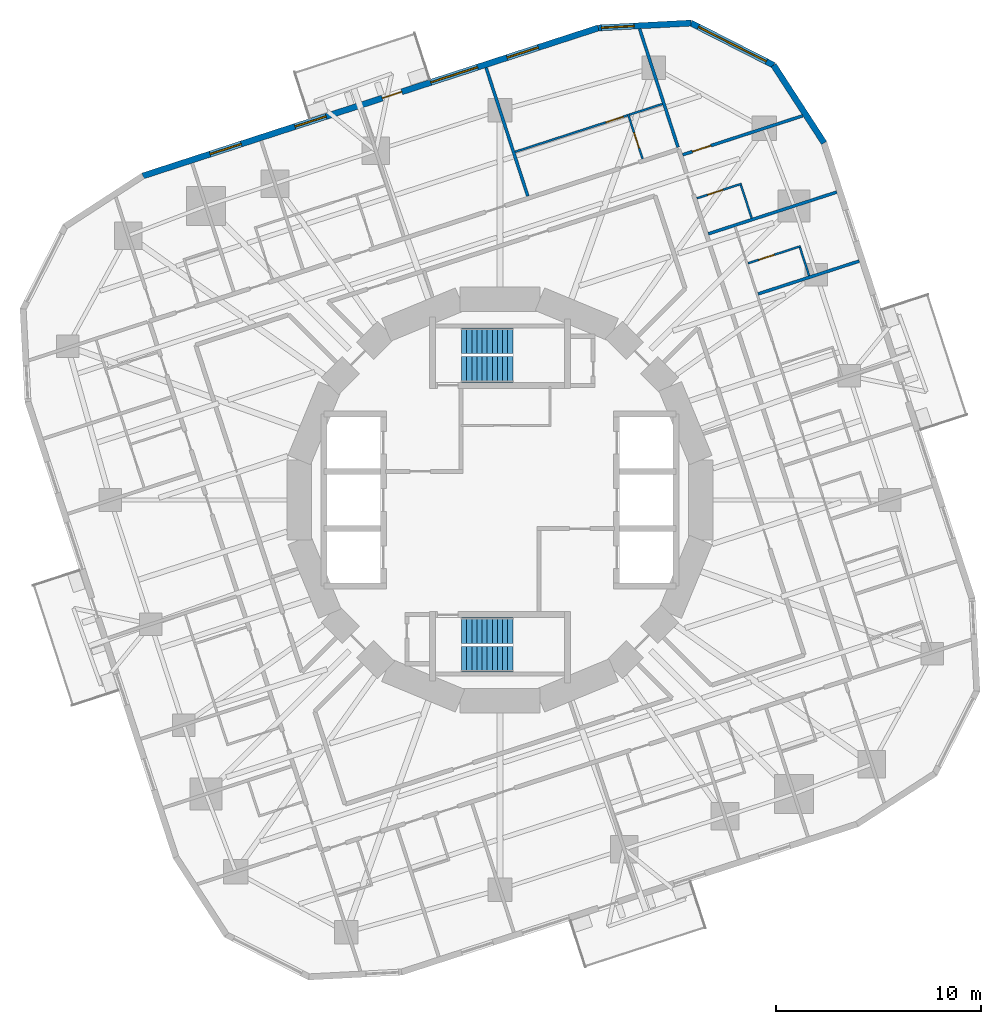
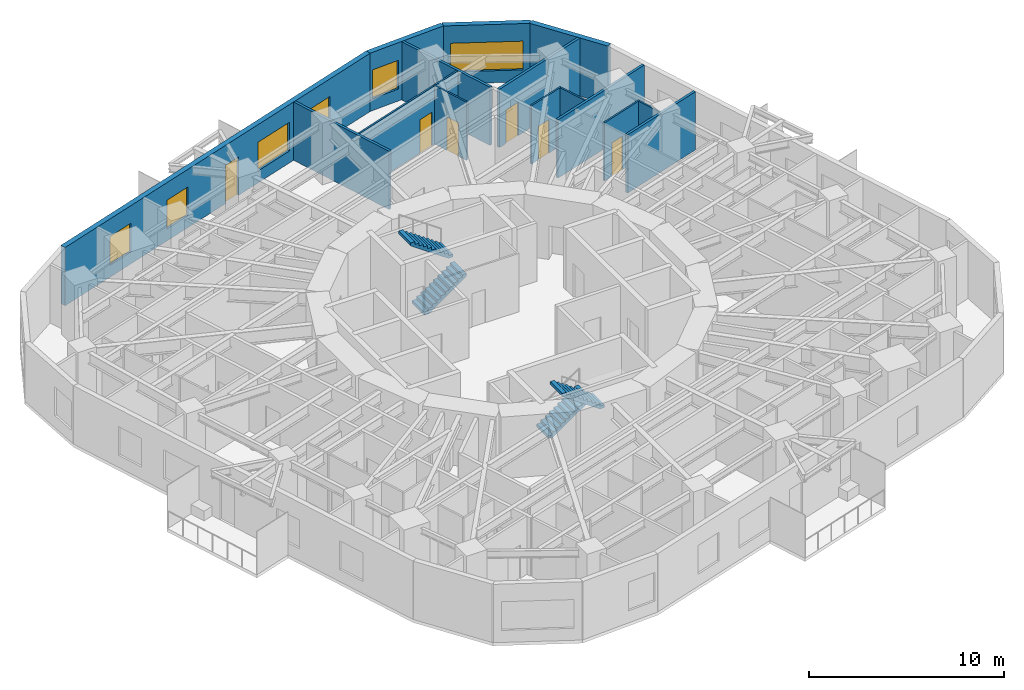
# One storey, part 10 of 12: 16 walls, 6 doors, 6 windows, 4 stair flights, 12 openings, 2 elements without a shape of their own.
"""IFC4 building model written with IfcOpenShell, lengths in metres."""

from ifc_helpers import new_model, si_unit, direction, frame, frame_2d, origin, place, context, subcontext, project, spatial, polyline, rectangle, outline, extrude, material, layer, layer_set, type_object, element, fill, aggregate, save


model = new_model("IFC4")

# Units and contexts
model_context = context("Model", 3, precision=1e-05, world=origin(), true_north=direction((0.0, 1.0)))
body_context = subcontext(model_context, "Body", "Model", "MODEL_VIEW")
ifc_project = project(units=[si_unit("LENGTHUNIT", "METRE"), si_unit("AREAUNIT", "SQUARE_METRE"), si_unit("VOLUMEUNIT", "CUBIC_METRE"), si_unit("PLANEANGLEUNIT", "RADIAN"), si_unit("MASSUNIT", "GRAM", prefix="KILO")], contexts=[model_context])

# Site, building, storey
site_placement = place(None, origin())
site = spatial("IfcSite", under=ifc_project, at=site_placement, CompositionType="ELEMENT")
building_placement = place(site_placement, origin())
building = spatial("IfcBuilding", under=site, at=building_placement, Name="Nakasero Lantern House", CompositionType="ELEMENT")
storey_placement = place(building_placement, frame((0.0, 0.0, 149.5)))
storey = spatial("IfcBuildingStorey", under=building, at=storey_placement, Name="L36", CompositionType="ELEMENT", Elevation=149.5)

# Wall, opening, door
ifc_material_1 = material(Name="Blockwork", Category="masonry")
ifc_layer_1 = layer(ifc_material_1, 0.10009765625)
ifc_layer_set_1 = layer_set([ifc_layer_1], Name="En-suite wall 100")
wall_type_1 = type_object("IfcWallType", Name="En-suite wall 100", PredefinedType="PARTITIONING", material=ifc_layer_set_1)
wall_1_placement = place(storey_placement, frame((12.11962890625, 11.564208984375, 0.0), z_axis=(0.0, 0.0, 1.0), x_axis=(0.951043371037, 0.309057448393, 0.0)))
wall_1 = element("IfcWall", 1, at=wall_1_placement, inside=storey, type_object=wall_type_1, Name="En-suite wall L36 ES0-05", PredefinedType="PARTITIONING", context=body_context, shape_type="SweptSolid", body=[
    extrude(rectangle(XDim=2.699951171875, YDim=0.10009765625, at=frame_2d((1.35009765625, 0.0))), origin(), (0.0, 0.0, 1.0), 3.64990234375),
])
opening_1_placement = place(wall_1_placement, frame((0.550048828125, 0.0, 0.0)))
opening_1 = element("IfcOpeningElement", 2, at=opening_1_placement, cuts=wall_1, Name="Opening D02", PredefinedType="OPENING", context=body_context, shape_type="SweptSolid", body=[
    extrude(rectangle(XDim=0.800048828125, YDim=2.10009765625, at=frame_2d((0.39990234375, 1.050048828125))), frame((0.0, 0.070068359375, 0.0), z_axis=(0.0, -1.0, 0.0), x_axis=(1.0, 0.0, 0.0)), (0.0, 0.0, 1.0), 0.14013671875),
])
ifc_material_2 = material(Name="Timber C24", Category="wood")
door_type_1 = type_object("IfcDoorType", Name="En-suite door 800", OperationType="SINGLE_SWING_RIGHT", PredefinedType="DOOR", material=ifc_material_2)
door_1_placement = place(opening_1_placement, origin())
door_1 = element("IfcDoor", 3, at=door_1_placement, inside=storey, type_object=door_type_1, Name="Door L36 DE0-05", OperationType="SINGLE_SWING_LEFT", OverallHeight=2.10009765625, OverallWidth=0.800048828125, PredefinedType="DOOR", context=body_context, shape_type="SweptSolid", body=[
    extrude(rectangle(XDim=0.800048828125, YDim=2.10009765625, at=frame_2d((0.39990234375, 1.050048828125))), frame((0.0, 0.02490234375, 0.0), z_axis=(0.0, -1.0, 0.0), x_axis=(1.0, 0.0, 0.0)), (0.0, 0.0, 1.0), 0.050048828125),
])
fill(opening_1, door_1)

# Wall
wall_2_placement = place(storey_placement, frame((15.103515625, 10.95654296875, 0.0), z_axis=(0.0, 0.0, 1.0), x_axis=(-0.309097492581, 0.951030357076, 0.0)))
element("IfcWall", 4, at=wall_2_placement, inside=storey, type_object=wall_type_1, Name="En-suite wall L36 EE0-05", PredefinedType="PARTITIONING", context=body_context, shape_type="SweptSolid", body=[
    extrude(rectangle(XDim=1.4501953125, YDim=0.10009765625, at=frame_2d((0.72509765625, 0.0))), origin(), (0.0, 0.0, 1.0), 3.64990234375),
])

# Wall, opening, door
wall_3_placement = place(storey_placement, frame((9.61572265625, 14.740234375, 0.0), z_axis=(0.0, 0.0, 1.0), x_axis=(0.951055129775, 0.309021261611, 0.0)))
wall_3 = element("IfcWall", 5, at=wall_3_placement, inside=storey, type_object=wall_type_1, Name="En-suite wall L36 ES0-06", PredefinedType="PARTITIONING", context=body_context, shape_type="SweptSolid", body=[
    extrude(rectangle(XDim=2.2998046875, YDim=0.10009765625, at=frame_2d((1.14990234375, 0.0))), origin(), (0.0, 0.0, 1.0), 3.64990234375),
])
opening_2_placement = place(wall_3_placement, frame((0.550048828125, 0.0, 0.0)))
opening_2 = element("IfcOpeningElement", 6, at=opening_2_placement, cuts=wall_3, Name="Opening D02", PredefinedType="OPENING", context=body_context, shape_type="SweptSolid", body=[
    extrude(rectangle(XDim=0.800048828125, YDim=2.10009765625, at=frame_2d((0.39990234375, 1.050048828125))), frame((0.0, 0.070068359375, 0.0), z_axis=(0.0, -1.0, 0.0), x_axis=(1.0, 0.0, 0.0)), (0.0, 0.0, 1.0), 0.14013671875),
])
door_2_placement = place(opening_2_placement, origin())
door_2 = element("IfcDoor", 7, at=door_2_placement, inside=storey, type_object=door_type_1, Name="Door L36 DE0-06", OperationType="SINGLE_SWING_LEFT", OverallHeight=2.10009765625, OverallWidth=0.800048828125, PredefinedType="DOOR", context=body_context, shape_type="SweptSolid", body=[
    extrude(rectangle(XDim=0.800048828125, YDim=2.10009765625, at=frame_2d((0.39990234375, 1.050048828125))), frame((0.0, 0.02490234375, 0.0), z_axis=(0.0, -1.0, 0.0), x_axis=(1.0, 0.0, 0.0)), (0.0, 0.0, 1.0), 0.050048828125),
])
fill(opening_2, door_2)

# Wall
wall_4_placement = place(storey_placement, frame((12.29638671875, 13.771240234375, 0.0), z_axis=(0.0, 0.0, 1.0), x_axis=(-0.309066587596, 0.951040401051, 0.0)))
element("IfcWall", 8, at=wall_4_placement, inside=storey, type_object=wall_type_1, Name="En-suite wall L36 EE0-06", PredefinedType="PARTITIONING", context=body_context, shape_type="SweptSolid", body=[
    extrude(rectangle(XDim=1.699951171875, YDim=0.10009765625, at=frame_2d((0.85009765625, 0.0))), origin(), (0.0, 0.0, 1.0), 3.64990234375),
])

# Wall, opening, door
wall_5_placement = place(storey_placement, frame((6.965087890625, 16.668212890625, 0.0), z_axis=(0.0, 0.0, 1.0), x_axis=(-0.309021261611, 0.951055129775, 0.0)))
wall_5 = element("IfcWall", 9, at=wall_5_placement, inside=storey, type_object=wall_type_1, Name="En-suite wall L36 ES1-00", PredefinedType="PARTITIONING", context=body_context, shape_type="SweptSolid", body=[
    extrude(rectangle(XDim=2.2998046875, YDim=0.10009765625, at=frame_2d((1.14990234375, 0.0))), origin(), (0.0, 0.0, 1.0), 3.64990234375),
])
opening_3_placement = place(wall_5_placement, frame((0.550048828125, 0.0, 0.0)))
opening_3 = element("IfcOpeningElement", 10, at=opening_3_placement, cuts=wall_5, Name="Opening D02", PredefinedType="OPENING", context=body_context, shape_type="SweptSolid", body=[
    extrude(rectangle(XDim=0.800048828125, YDim=2.10009765625, at=frame_2d((0.39990234375, 1.050048828125))), frame((0.0, 0.070068359375, 0.0), z_axis=(0.0, -1.0, 0.0), x_axis=(1.0, 0.0, 0.0)), (0.0, 0.0, 1.0), 0.14013671875),
])
door_3_placement = place(opening_3_placement, origin())
door_3 = element("IfcDoor", 11, at=door_3_placement, inside=storey, type_object=door_type_1, Name="Door L36 DE1-00", OperationType="SINGLE_SWING_LEFT", OverallHeight=2.10009765625, OverallWidth=0.800048828125, PredefinedType="DOOR", context=body_context, shape_type="SweptSolid", body=[
    extrude(rectangle(XDim=0.800048828125, YDim=2.10009765625, at=frame_2d((0.39990234375, 1.050048828125))), frame((0.0, 0.02490234375, 0.0), z_axis=(0.0, -1.0, 0.0), x_axis=(1.0, 0.0, 0.0)), (0.0, 0.0, 1.0), 0.050048828125),
])
fill(opening_3, door_3)

# Wall
wall_6_placement = place(storey_placement, frame((7.934326171875, 19.348876953125, 0.0), z_axis=(0.0, 0.0, 1.0), x_axis=(-0.951054116971, -0.309024378638, 0.0)))
element("IfcWall", 12, at=wall_6_placement, inside=storey, type_object=wall_type_1, Name="En-suite wall L36 EE1-00", PredefinedType="PARTITIONING", context=body_context, shape_type="SweptSolid", body=[
    extrude(rectangle(XDim=1.7001953125, YDim=0.10009765625, at=frame_2d((0.85009765625, 0.0))), origin(), (0.0, 0.0, 1.0), 3.64990234375),
])

# Wall, opening, door
wall_7_placement = place(storey_placement, frame((6.222412109375, 18.79248046875, 0.0), z_axis=(0.0, 0.0, 1.0), x_axis=(-0.951059566465, -0.30900760676, 0.0)))
wall_7 = element("IfcWall", 13, at=wall_7_placement, inside=storey, type_object=wall_type_1, Name="En-suite wall L36 EL1-00", PredefinedType="PARTITIONING", context=body_context, shape_type="SweptSolid", body=[
    extrude(rectangle(XDim=5.76904296875, YDim=0.10009765625, at=frame_2d((2.884521484375, 0.0))), origin(), (0.0, 0.0, 1.0), 3.64990234375),
])
opening_4_placement = place(wall_7_placement, frame((0.199951171875, 0.0, 0.0)))
opening_4 = element("IfcOpeningElement", 14, at=opening_4_placement, cuts=wall_7, Name="Opening D17", PredefinedType="OPENING", context=body_context, shape_type="SweptSolid", body=[
    extrude(rectangle(XDim=0.89990234375, YDim=2.10009765625, at=frame_2d((0.449951171875, 1.050048828125))), frame((0.0, 0.070068359375, 0.0), z_axis=(0.0, -1.0, 0.0), x_axis=(1.0, 0.0, 0.0)), (0.0, 0.0, 1.0), 0.14013671875),
])
ifc_material_3 = material(Name="Timber C24", Category="wood")
door_type_2 = type_object("IfcDoorType", Name="Bedroom door FD30S 900", OperationType="SINGLE_SWING_LEFT", PredefinedType="DOOR", material=ifc_material_3)
door_4_placement = place(opening_4_placement, origin())
door_4 = element("IfcDoor", 15, at=door_4_placement, inside=storey, type_object=door_type_2, Name="Door L36 DL1-00", OperationType="SINGLE_SWING_LEFT", OverallHeight=2.10009765625, OverallWidth=0.89990234375, PredefinedType="DOOR", context=body_context, shape_type="SweptSolid", body=[
    extrude(rectangle(XDim=0.89990234375, YDim=2.10009765625, at=frame_2d((0.449951171875, 1.050048828125))), frame((0.0, 0.02490234375, 0.0), z_axis=(0.0, -1.0, 0.0), x_axis=(1.0, 0.0, 0.0)), (0.0, 0.0, 1.0), 0.050048828125),
])
fill(opening_4, door_4)

# Wall
ifc_material_4 = material(Name="Aluminium rainscreen on blockwork", Category="masonry")
ifc_layer_2 = layer(ifc_material_4, 0.300048828125)
ifc_layer_set_2 = layer_set([ifc_layer_2], Name="Facade wall 300")
wall_type_2 = type_object("IfcWallType", Name="Facade wall 300", PredefinedType="SOLIDWALL", material=ifc_layer_set_2)
wall_8_placement = place(storey_placement, frame((15.83349609375, 17.44677734375, 0.0), z_axis=(0.0, 0.0, 1.0), x_axis=(-0.544634002266, 0.838673836229, 0.0)))
element("IfcWall", 16, at=wall_8_placement, inside=storey, type_object=wall_type_2, Name="Facade wall L36 FW0C1", PredefinedType="SOLIDWALL", context=body_context, shape_type="SweptSolid", body=[
    extrude(rectangle(XDim=4.529296875, YDim=0.300048828125, at=frame_2d((2.2646484375, 0.0))), origin(), (0.0, 0.0, 1.0), 3.64990234375),
])

# Wall, opening, window
wall_9_placement = place(storey_placement, frame((13.36669921875, 21.245361328125, 0.0), z_axis=(0.0, 0.0, 1.0), x_axis=(-0.890994655705, 0.454013792196, 0.0)))
wall_9 = element("IfcWall", 17, at=wall_9_placement, inside=storey, type_object=wall_type_2, Name="Facade wall L36 FW0C2", PredefinedType="SOLIDWALL", context=body_context, shape_type="SweptSolid", body=[
    extrude(rectangle(XDim=4.529296875, YDim=0.300048828125, at=frame_2d((2.2646484375, 0.0))), origin(), (0.0, 0.0, 1.0), 3.64990234375),
])
opening_5_placement = place(wall_9_placement, frame((0.39990234375, 0.0, 0.75)))
opening_5 = element("IfcOpeningElement", 18, at=opening_5_placement, cuts=wall_9, Name="Opening W237A", PredefinedType="OPENING", context=body_context, shape_type="SweptSolid", body=[
    extrude(rectangle(XDim=3.72900390625, YDim=1.800048828125, at=frame_2d((1.864501953125, 0.89990234375))), frame((0.0, 0.169921875, 0.0), z_axis=(0.0, -1.0, 0.0), x_axis=(1.0, 0.0, 0.0)), (0.0, 0.0, 1.0), 0.340087890625),
])
ifc_material_5 = material(Name="Aluminium 6063-T6 and glass", Category="aluminium")
window_type_1 = type_object("IfcWindowType", Name="Corner window 3729x1800", PartitioningType="SINGLE_PANEL", PredefinedType="WINDOW", material=ifc_material_5)
window_1_placement = place(opening_5_placement, origin())
window_1 = element("IfcWindow", 19, at=window_1_placement, inside=storey, type_object=window_type_1, Name="Window L36 WC0", OverallHeight=1.800048828125, OverallWidth=3.72900390625, PartitioningType="SINGLE_PANEL", PredefinedType="WINDOW", context=body_context, shape_type="SweptSolid", body=[
    extrude(rectangle(XDim=3.72900390625, YDim=1.800048828125, at=frame_2d((1.864501953125, 0.89990234375))), frame((0.0, 0.030029296875, 0.0), z_axis=(0.0, -1.0, 0.0), x_axis=(1.0, 0.0, 0.0)), (0.0, 0.0, 1.0), 0.06005859375),
])
fill(opening_5, window_1)

wall_10_placement = place(storey_placement, frame((9.3310546875, 23.3017578125, 0.0), z_axis=(0.0, 0.0, 1.0), x_axis=(-0.998629419044, -0.052338164079, 0.0)))
wall_10 = element("IfcWall", 20, at=wall_10_placement, inside=storey, type_object=wall_type_2, Name="Facade wall L36 FW0C3", PredefinedType="SOLIDWALL", context=body_context, shape_type="SweptSolid", body=[
    extrude(rectangle(XDim=4.529296875, YDim=0.300048828125, at=frame_2d((2.2646484375, 0.0))), origin(), (0.0, 0.0, 1.0), 3.64990234375),
])
opening_6_placement = place(wall_10_placement, frame((2.784912109375, 0.0, 0.75)))
opening_6 = element("IfcOpeningElement", 21, at=opening_6_placement, cuts=wall_10, Name="Opening W01", PredefinedType="OPENING", context=body_context, shape_type="SweptSolid", body=[
    extrude(rectangle(XDim=1.60009765625, YDim=1.800048828125, at=frame_2d((0.800048828125, 0.89990234375))), frame((0.0, 0.169921875, 0.0), z_axis=(0.0, -1.0, 0.0), x_axis=(1.0, 0.0, 0.0)), (0.0, 0.0, 1.0), 0.340087890625),
])
ifc_material_6 = material(Name="Aluminium 6063-T6 and glass", Category="aluminium")
window_type_2 = type_object("IfcWindowType", Name="Bedroom window 1600x1800", PartitioningType="SINGLE_PANEL", PredefinedType="WINDOW", material=ifc_material_6)
window_2_placement = place(opening_6_placement, origin())
window_2 = element("IfcWindow", 22, at=window_2_placement, inside=storey, type_object=window_type_2, Name="Window L36 WN1-00", OverallHeight=1.800048828125, OverallWidth=1.60009765625, PartitioningType="SINGLE_PANEL", PredefinedType="WINDOW", context=body_context, shape_type="SweptSolid", body=[
    extrude(rectangle(XDim=1.60009765625, YDim=1.800048828125, at=frame_2d((0.800048828125, 0.89990234375))), frame((0.0, 0.030029296875, 0.0), z_axis=(0.0, -1.0, 0.0), x_axis=(1.0, 0.0, 0.0)), (0.0, 0.0, 1.0), 0.06005859375),
])
fill(opening_6, window_2)

# Wall, openings, door, windows
wall_11_placement = place(storey_placement, frame((4.807861328125, 23.064697265625, 0.0), z_axis=(0.0, 0.0, 1.0), x_axis=(-0.951053618334, -0.30902591324, 0.0)))
wall_11 = element("IfcWall", 23, at=wall_11_placement, inside=storey, type_object=wall_type_2, Name="Facade wall L36 FW1S", PredefinedType="SOLIDWALL", context=body_context, shape_type="SweptSolid", body=[
    extrude(rectangle(XDim=23.39990234375, YDim=0.300048828125, at=frame_2d((11.699951171875, 0.0))), origin(), (0.0, 0.0, 1.0), 3.64990234375),
])
opening_7_placement = place(wall_11_placement, frame((3.089111328125, 0.0, 0.75)))
opening_7 = element("IfcOpeningElement", 24, at=opening_7_placement, cuts=wall_11, Name="Opening W01", PredefinedType="OPENING", context=body_context, shape_type="SweptSolid", body=[
    extrude(rectangle(XDim=1.60009765625, YDim=1.800048828125, at=frame_2d((0.800048828125, 0.89990234375))), frame((0.0, 0.169921875, 0.0), z_axis=(0.0, -1.0, 0.0), x_axis=(1.0, 0.0, 0.0)), (0.0, 0.0, 1.0), 0.340087890625),
])
opening_8_placement = place(wall_11_placement, frame((13.987548828125, 0.0, 0.75)))
opening_8 = element("IfcOpeningElement", 25, at=opening_8_placement, cuts=wall_11, Name="Opening W01", PredefinedType="OPENING", context=body_context, shape_type="SweptSolid", body=[
    extrude(rectangle(XDim=1.60009765625, YDim=1.800048828125, at=frame_2d((0.800048828125, 0.89990234375))), frame((0.0, 0.169921875, 0.0), z_axis=(0.0, -1.0, 0.0), x_axis=(1.0, 0.0, 0.0)), (0.0, 0.0, 1.0), 0.340087890625),
])
opening_9_placement = place(wall_11_placement, frame((18.350341796875, 0.0, 0.75)))
opening_9 = element("IfcOpeningElement", 26, at=opening_9_placement, cuts=wall_11, Name="Opening W01", PredefinedType="OPENING", context=body_context, shape_type="SweptSolid", body=[
    extrude(rectangle(XDim=1.60009765625, YDim=1.800048828125, at=frame_2d((0.800048828125, 0.89990234375))), frame((0.0, 0.169921875, 0.0), z_axis=(0.0, -1.0, 0.0), x_axis=(1.0, 0.0, 0.0)), (0.0, 0.0, 1.0), 0.340087890625),
])
opening_10_placement = place(wall_11_placement, frame((6.21337890625, 0.0, 0.75)))
opening_10 = element("IfcOpeningElement", 27, at=opening_10_placement, cuts=wall_11, Name="Opening W03", PredefinedType="OPENING", context=body_context, shape_type="SweptSolid", body=[
    extrude(rectangle(XDim=2.39990234375, YDim=1.800048828125, at=frame_2d((1.199951171875, 0.89990234375))), frame((0.0, 0.169921875, 0.0), z_axis=(0.0, -1.0, 0.0), x_axis=(1.0, 0.0, 0.0)), (0.0, 0.0, 1.0), 0.340087890625),
])
opening_11_placement = place(wall_11_placement, frame((10.1025390625, 0.0, 0.0)))
opening_11 = element("IfcOpeningElement", 28, at=opening_11_placement, cuts=wall_11, Name="Opening D04", PredefinedType="OPENING", context=body_context, shape_type="SweptSolid", body=[
    extrude(rectangle(XDim=1.0, YDim=2.39990234375, at=frame_2d((0.5, 1.199951171875))), frame((0.0, 0.169921875, 0.0), z_axis=(0.0, -1.0, 0.0), x_axis=(1.0, 0.0, 0.0)), (0.0, 0.0, 1.0), 0.340087890625),
])
ifc_material_7 = material(Name="Aluminium 6063-T6 and glass", Category="aluminium")
door_type_3 = type_object("IfcDoorType", Name="Balcony door 1000x2400", OperationType="SINGLE_SWING_RIGHT", PredefinedType="DOOR", material=ifc_material_7)
door_5_placement = place(opening_11_placement, origin())
door_5 = element("IfcDoor", 29, at=door_5_placement, inside=storey, type_object=door_type_3, Name="Balcony door L36 DB1", OperationType="SINGLE_SWING_RIGHT", OverallHeight=2.39990234375, OverallWidth=1.0, PredefinedType="DOOR", context=body_context, shape_type="SweptSolid", body=[
    extrude(rectangle(XDim=1.0, YDim=2.39990234375, at=frame_2d((0.5, 1.199951171875))), frame((0.0, 0.02490234375, 0.0), z_axis=(0.0, -1.0, 0.0), x_axis=(1.0, 0.0, 0.0)), (0.0, 0.0, 1.0), 0.050048828125),
])
fill(opening_11, door_5)
window_3_placement = place(opening_7_placement, origin())
window_3 = element("IfcWindow", 30, at=window_3_placement, inside=storey, type_object=window_type_2, Name="Window L36 WN1-01", OverallHeight=1.800048828125, OverallWidth=1.60009765625, PartitioningType="SINGLE_PANEL", PredefinedType="WINDOW", context=body_context, shape_type="SweptSolid", body=[
    extrude(rectangle(XDim=1.60009765625, YDim=1.800048828125, at=frame_2d((0.800048828125, 0.89990234375))), frame((0.0, 0.030029296875, 0.0), z_axis=(0.0, -1.0, 0.0), x_axis=(1.0, 0.0, 0.0)), (0.0, 0.0, 1.0), 0.06005859375),
])
fill(opening_7, window_3)
window_4_placement = place(opening_8_placement, origin())
window_4 = element("IfcWindow", 31, at=window_4_placement, inside=storey, type_object=window_type_2, Name="Window L36 WN1-04", OverallHeight=1.800048828125, OverallWidth=1.60009765625, PartitioningType="SINGLE_PANEL", PredefinedType="WINDOW", context=body_context, shape_type="SweptSolid", body=[
    extrude(rectangle(XDim=1.60009765625, YDim=1.800048828125, at=frame_2d((0.800048828125, 0.89990234375))), frame((0.0, 0.030029296875, 0.0), z_axis=(0.0, -1.0, 0.0), x_axis=(1.0, 0.0, 0.0)), (0.0, 0.0, 1.0), 0.06005859375),
])
fill(opening_8, window_4)
window_5_placement = place(opening_9_placement, origin())
window_5 = element("IfcWindow", 32, at=window_5_placement, inside=storey, type_object=window_type_2, Name="Window L36 WN1-05", OverallHeight=1.800048828125, OverallWidth=1.60009765625, PartitioningType="SINGLE_PANEL", PredefinedType="WINDOW", context=body_context, shape_type="SweptSolid", body=[
    extrude(rectangle(XDim=1.60009765625, YDim=1.800048828125, at=frame_2d((0.800048828125, 0.89990234375))), frame((0.0, 0.030029296875, 0.0), z_axis=(0.0, -1.0, 0.0), x_axis=(1.0, 0.0, 0.0)), (0.0, 0.0, 1.0), 0.06005859375),
])
fill(opening_9, window_5)
ifc_material_8 = material(Name="Aluminium 6063-T6 and glass", Category="aluminium")
window_type_3 = type_object("IfcWindowType", Name="Lounge window 2400x1800", PartitioningType="SINGLE_PANEL", PredefinedType="WINDOW", material=ifc_material_8)
window_6_placement = place(opening_10_placement, origin())
window_6 = element("IfcWindow", 33, at=window_6_placement, inside=storey, type_object=window_type_3, Name="Window L36 WK1", OverallHeight=1.800048828125, OverallWidth=2.39990234375, PartitioningType="SINGLE_PANEL", PredefinedType="WINDOW", context=body_context, shape_type="SweptSolid", body=[
    extrude(rectangle(XDim=2.39990234375, YDim=1.800048828125, at=frame_2d((1.199951171875, 0.89990234375))), frame((0.0, 0.030029296875, 0.0), z_axis=(0.0, -1.0, 0.0), x_axis=(1.0, 0.0, 0.0)), (0.0, 0.0, 1.0), 0.06005859375),
])
fill(opening_10, window_6)

# Walls
ifc_material_9 = material(Name="Blockwork", Category="masonry")
ifc_layer_3 = layer(ifc_material_9, 0.14990234375)
ifc_layer_set_3 = layer_set([ifc_layer_3], Name="Party wall 150")
wall_type_3 = type_object("IfcWallType", Name="Party wall 150", PredefinedType="PARTITIONING", material=ifc_layer_set_3)
wall_12_placement = place(storey_placement, frame((12.606201171875, 10.06640625, 0.0), z_axis=(0.0, 0.0, 1.0), x_axis=(0.951055112834, 0.309021313752, 0.0)))
element("IfcWall", 34, at=wall_12_placement, inside=storey, type_object=wall_type_3, Name="Party wall L36 PW0-05", PredefinedType="PARTITIONING", context=body_context, shape_type="SweptSolid", body=[
    extrude(rectangle(XDim=5.2001953125, YDim=0.14990234375, at=frame_2d((2.60009765625, 0.0))), origin(), (0.0, 0.0, 1.0), 3.64990234375),
])
wall_13_placement = place(storey_placement, frame((10.1796875, 13.004638671875, 0.0), z_axis=(0.0, 0.0, 1.0), x_axis=(0.951053095941, 0.309027520945, 0.0)))
element("IfcWall", 35, at=wall_13_placement, inside=storey, type_object=wall_type_3, Name="Party wall L36 PW0-06", PredefinedType="PARTITIONING", context=body_context, shape_type="SweptSolid", body=[
    extrude(rectangle(XDim=6.599853515625, YDim=0.14990234375, at=frame_2d((3.2998046875, 0.0))), origin(), (0.0, 0.0, 1.0), 3.64990234375),
])

# Wall, opening, door
wall_14_placement = place(storey_placement, frame((8.9248046875, 16.8662109375, 0.0), z_axis=(0.0, 0.0, 1.0), x_axis=(0.951051818488, 0.309031452366, 0.0)))
wall_14 = element("IfcWall", 36, at=wall_14_placement, inside=storey, type_object=wall_type_3, Name="Party wall L36 PC0", PredefinedType="PARTITIONING", context=body_context, shape_type="SweptSolid", body=[
    extrude(rectangle(XDim=6.165283203125, YDim=0.14990234375, at=frame_2d((3.08251953125, 0.0))), origin(), (0.0, 0.0, 1.0), 3.64990234375),
])
opening_12_placement = place(wall_14_placement, frame((0.5, 0.0, 0.0)))
opening_12 = element("IfcOpeningElement", 37, at=opening_12_placement, cuts=wall_14, Name="Opening D01", PredefinedType="OPENING", context=body_context, shape_type="SweptSolid", body=[
    extrude(rectangle(XDim=0.949951171875, YDim=2.10009765625, at=frame_2d((0.47509765625, 1.050048828125))), frame((0.0, 0.094970703125, 0.0), z_axis=(0.0, -1.0, 0.0), x_axis=(1.0, 0.0, 0.0)), (0.0, 0.0, 1.0), 0.18994140625),
])
ifc_material_10 = material(Name="Timber C24", Category="wood")
door_type_4 = type_object("IfcDoorType", Name="Bedroom door FD30S 950", OperationType="SINGLE_SWING_LEFT", PredefinedType="DOOR", material=ifc_material_10)
door_6_placement = place(opening_12_placement, origin())
door_6 = element("IfcDoor", 38, at=door_6_placement, inside=storey, type_object=door_type_4, Name="Door L36 DC0", OperationType="SINGLE_SWING_LEFT", OverallHeight=2.10009765625, OverallWidth=0.949951171875, PredefinedType="DOOR", context=body_context, shape_type="SweptSolid", body=[
    extrude(rectangle(XDim=0.949951171875, YDim=2.10009765625, at=frame_2d((0.47509765625, 1.050048828125))), frame((0.0, 0.02490234375, 0.0), z_axis=(0.0, -1.0, 0.0), x_axis=(1.0, 0.0, 0.0)), (0.0, 0.0, 1.0), 0.050048828125),
])
fill(opening_12, door_6)

# Walls
wall_15_placement = place(storey_placement, frame((8.700927734375, 17.232177734375, 0.0), z_axis=(0.0, 0.0, 1.0), x_axis=(-0.309015253813, 0.951057081836, 0.0)))
element("IfcWall", 39, at=wall_15_placement, inside=storey, type_object=wall_type_3, Name="Party wall L36 PW1-00", PredefinedType="PARTITIONING", context=body_context, shape_type="SweptSolid", body=[
    extrude(rectangle(XDim=6.080322265625, YDim=0.14990234375, at=frame_2d((3.0400390625, 0.0))), origin(), (0.0, 0.0, 1.0), 3.64990234375),
])
wall_16_placement = place(storey_placement, frame((1.359619140625, 14.846923828125, 0.0), z_axis=(0.0, 0.0, 1.0), x_axis=(-0.309027520945, 0.951053095941, 0.0)))
element("IfcWall", 40, at=wall_16_placement, inside=storey, type_object=wall_type_3, Name="Party wall L36 PW1-02", PredefinedType="PARTITIONING", context=body_context, shape_type="SweptSolid", body=[
    extrude(rectangle(XDim=6.599853515625, YDim=0.14990234375, at=frame_2d((3.2998046875, 0.0))), origin(), (0.0, 0.0, 1.0), 3.64990234375),
])

# Stair, stair flights
ifc_material_11 = material(Name="Concrete C40/50", Category="concrete")
stair_type_1 = type_object("IfcStairType", Name="Escape stair ST1 22 risers", PredefinedType="HALF_TURN_STAIR", material=ifc_material_11)
stair_1_placement = place(storey_placement, origin())
stair_1 = element("IfcStair", 41, at=stair_1_placement, inside=storey, type_object=stair_type_1, Name="Escape stair ST1 L36", PredefinedType="HALF_TURN_STAIR")
ifc_material_12 = material(Name="Concrete C40/50", Category="concrete")
stair_flight_type = type_object("IfcStairFlightType", Name="Escape stair flight", PredefinedType="STRAIGHT", material=ifc_material_12)
stair_flight_1_placement = place(storey_placement, frame((-1.875, 6.375, 0.0), z_axis=(0.0, 0.0, 1.0), x_axis=(1.0, 0.0, 0.0)))
stair_flight_1 = element("IfcStairFlight", 42, at=stair_flight_1_placement, type_object=stair_flight_type, Name="ST1 flight 1", NumberOfRisers=11, NumberOfTreads=10, PredefinedType="STRAIGHT", RiserHeight=0.175, TreadLength=0.25, context=body_context, shape_type="SweptSolid", body=[
    extrude(outline(polyline([(0.0, 0.0), (0.0, 0.175048828125), (0.25, 0.175048828125), (0.25, 0.35009765625), (0.5, 0.35009765625), (0.5, 0.52490234375), (0.75, 0.52490234375), (0.75, 0.699951171875), (1.0, 0.699951171875), (1.0, 0.875), (1.25, 0.875), (1.25, 1.050048828125), (1.5, 1.050048828125), (1.5, 1.22509765625), (1.75, 1.22509765625), (1.75, 1.39990234375), (2.0, 1.39990234375), (2.0, 1.574951171875), (2.25, 1.574951171875), (2.25, 1.75), (2.5, 1.75), (2.5, 1.925048828125), (2.5, 1.567138671875), (0.261474609375, 0.0), (0.0, 0.0)])), frame((0.0, 0.625, 0.0), z_axis=(0.0, -1.0, 0.0), x_axis=(1.0, 0.0, 0.0)), (0.0, 0.0, 1.0), 1.25),
])
stair_flight_2_placement = place(storey_placement, frame((0.625, 7.77490234375, 1.925048828125), z_axis=(0.0, 0.0, 1.0), x_axis=(-1.0, 0.0, 0.0)))
stair_flight_2 = element("IfcStairFlight", 43, at=stair_flight_2_placement, type_object=stair_flight_type, Name="ST1 flight 2", NumberOfRisers=11, NumberOfTreads=10, PredefinedType="STRAIGHT", RiserHeight=0.175, TreadLength=0.25, context=body_context, shape_type="SweptSolid", body=[
    extrude(outline(polyline([(0.0, 0.0), (0.0, 0.175048828125), (0.25, 0.175048828125), (0.25, 0.35009765625), (0.5, 0.35009765625), (0.5, 0.52490234375), (0.75, 0.52490234375), (0.75, 0.699951171875), (1.0, 0.699951171875), (1.0, 0.875), (1.25, 0.875), (1.25, 1.050048828125), (1.5, 1.050048828125), (1.5, 1.22509765625), (1.75, 1.22509765625), (1.75, 1.39990234375), (2.0, 1.39990234375), (2.0, 1.574951171875), (2.25, 1.574951171875), (2.25, 1.75), (2.5, 1.75), (2.5, 1.925048828125), (2.5, 1.567138671875), (0.261474609375, 0.0), (0.0, 0.0)])), frame((0.0, 0.625, 0.0), z_axis=(0.0, -1.0, 0.0), x_axis=(1.0, 0.0, 0.0)), (0.0, 0.0, 1.0), 1.25),
])
aggregate(stair_1, [stair_flight_1, stair_flight_2])

ifc_material_13 = material(Name="Concrete C40/50", Category="concrete")
stair_type_2 = type_object("IfcStairType", Name="Escape stair ST2 22 risers", PredefinedType="HALF_TURN_STAIR", material=ifc_material_13)
stair_2_placement = place(storey_placement, origin())
stair_2 = element("IfcStair", 44, at=stair_2_placement, inside=storey, type_object=stair_type_2, Name="Escape stair ST2 L36", PredefinedType="HALF_TURN_STAIR")
stair_flight_3_placement = place(storey_placement, frame((-1.875, -6.375, 0.0), z_axis=(0.0, 0.0, 1.0), x_axis=(1.0, 0.0, 0.0)))
stair_flight_3 = element("IfcStairFlight", 45, at=stair_flight_3_placement, type_object=stair_flight_type, Name="ST2 flight 1", NumberOfRisers=11, NumberOfTreads=10, PredefinedType="STRAIGHT", RiserHeight=0.175, TreadLength=0.25, context=body_context, shape_type="SweptSolid", body=[
    extrude(outline(polyline([(0.0, 0.0), (0.0, 0.175048828125), (0.25, 0.175048828125), (0.25, 0.35009765625), (0.5, 0.35009765625), (0.5, 0.52490234375), (0.75, 0.52490234375), (0.75, 0.699951171875), (1.0, 0.699951171875), (1.0, 0.875), (1.25, 0.875), (1.25, 1.050048828125), (1.5, 1.050048828125), (1.5, 1.22509765625), (1.75, 1.22509765625), (1.75, 1.39990234375), (2.0, 1.39990234375), (2.0, 1.574951171875), (2.25, 1.574951171875), (2.25, 1.75), (2.5, 1.75), (2.5, 1.925048828125), (2.5, 1.567138671875), (0.261474609375, 0.0), (0.0, 0.0)])), frame((0.0, 0.625, 0.0), z_axis=(0.0, -1.0, 0.0), x_axis=(1.0, 0.0, 0.0)), (0.0, 0.0, 1.0), 1.25),
])
stair_flight_4_placement = place(storey_placement, frame((0.625, -7.77490234375, 1.925048828125), z_axis=(0.0, 0.0, 1.0), x_axis=(-1.0, 0.0, 0.0)))
stair_flight_4 = element("IfcStairFlight", 46, at=stair_flight_4_placement, type_object=stair_flight_type, Name="ST2 flight 2", NumberOfRisers=11, NumberOfTreads=10, PredefinedType="STRAIGHT", RiserHeight=0.175, TreadLength=0.25, context=body_context, shape_type="SweptSolid", body=[
    extrude(outline(polyline([(0.0, 0.0), (0.0, 0.175048828125), (0.25, 0.175048828125), (0.25, 0.35009765625), (0.5, 0.35009765625), (0.5, 0.52490234375), (0.75, 0.52490234375), (0.75, 0.699951171875), (1.0, 0.699951171875), (1.0, 0.875), (1.25, 0.875), (1.25, 1.050048828125), (1.5, 1.050048828125), (1.5, 1.22509765625), (1.75, 1.22509765625), (1.75, 1.39990234375), (2.0, 1.39990234375), (2.0, 1.574951171875), (2.25, 1.574951171875), (2.25, 1.75), (2.5, 1.75), (2.5, 1.925048828125), (2.5, 1.567138671875), (0.261474609375, 0.0), (0.0, 0.0)])), frame((0.0, 0.625, 0.0), z_axis=(0.0, -1.0, 0.0), x_axis=(1.0, 0.0, 0.0)), (0.0, 0.0, 1.0), 1.25),
])
aggregate(stair_2, [stair_flight_3, stair_flight_4])

save(model, "model.ifc")
